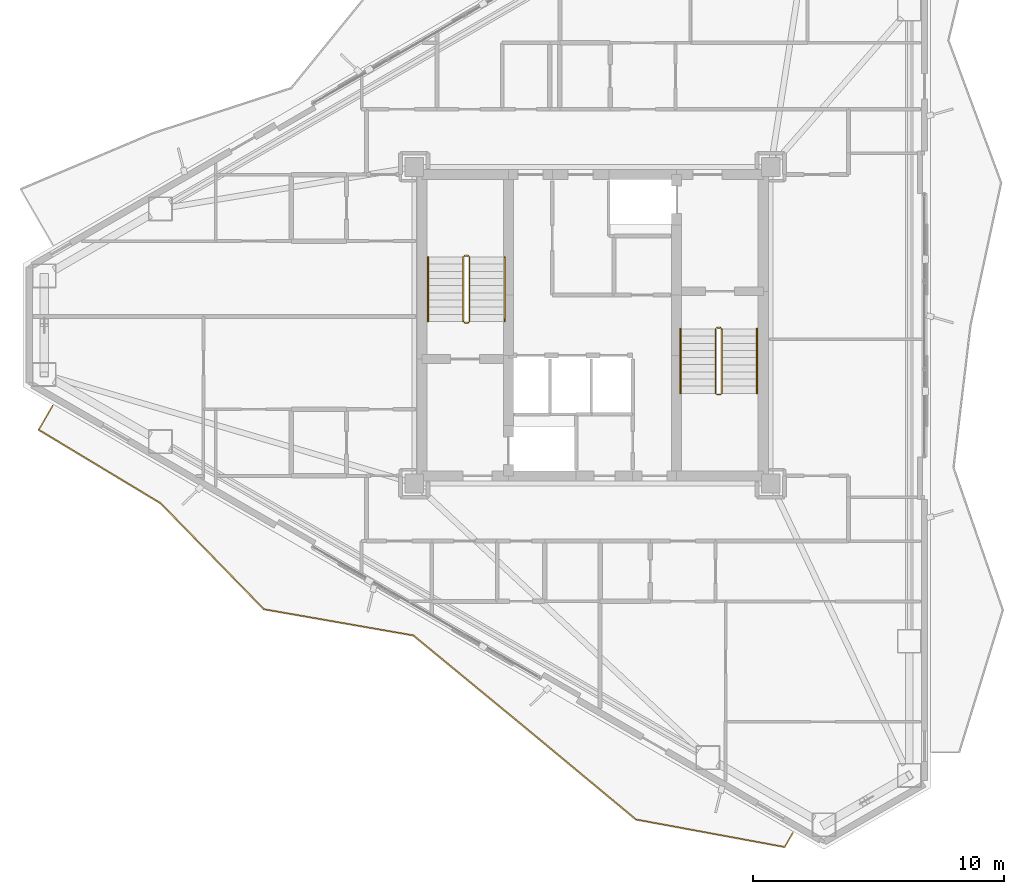
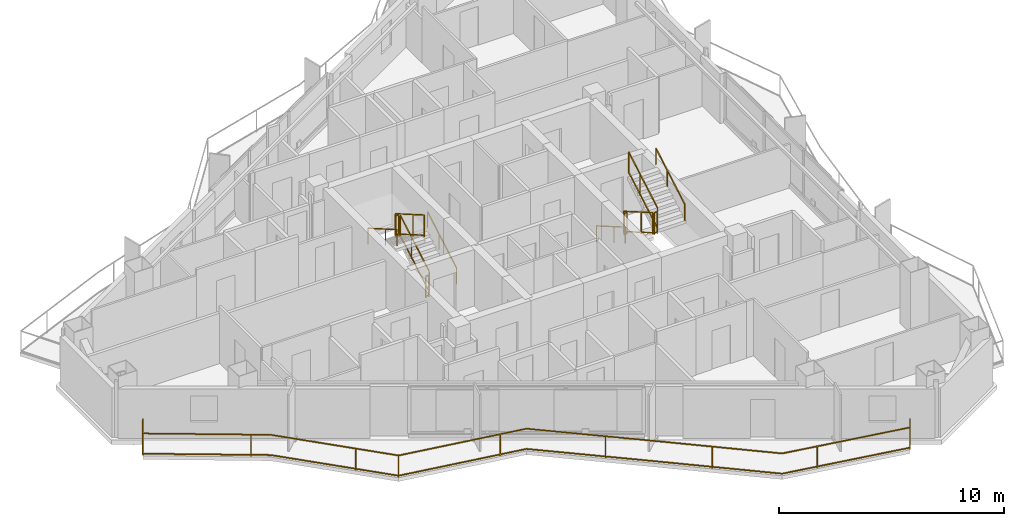
# One storey, part 18 of 19: 13 railings.
"""IFC4 building model written with IfcOpenShell, lengths in metres."""

from ifc_helpers import new_model, si_unit, direction, frame, origin, origin_2d, place, context, subcontext, project, spatial, rectangle, extrude, material, type_object, element, save


model = new_model("IFC4")

# Units and contexts
model_context = context("Model", 3, precision=1e-05, world=origin(), true_north=direction((0.0, 1.0)))
body_context = subcontext(model_context, "Body", "Model", "MODEL_VIEW")
ifc_project = project(units=[si_unit("LENGTHUNIT", "METRE"), si_unit("AREAUNIT", "SQUARE_METRE"), si_unit("VOLUMEUNIT", "CUBIC_METRE"), si_unit("PLANEANGLEUNIT", "RADIAN"), si_unit("MASSUNIT", "GRAM", prefix="KILO")], contexts=[model_context])

# Site, building, storey
site_placement = place(None, origin())
site = spatial("IfcSite", under=ifc_project, at=site_placement, CompositionType="ELEMENT")
building_placement = place(site_placement, origin())
building = spatial("IfcBuilding", under=site, at=building_placement, Name="Mersakhor Tower and Convention Hall", CompositionType="ELEMENT")
storey_placement = place(building_placement, frame((0.0, 0.0, 147.60009765625)))
storey = spatial("IfcBuildingStorey", under=building, at=storey_placement, Name="L41", CompositionType="ELEMENT", Elevation=147.60009765625)

# Railings
ifc_material_1 = material(Name="Powder-coated galvanised steel and laminated glass balustrade", Category="steel")
railing_type_1 = type_object("IfcRailingType", Name="RL-BAL-1200", PredefinedType="BALUSTRADE", material=ifc_material_1)
railing_1_placement = place(storey_placement, frame((7.497802734375, 23.5537109375, 0.0)))
element("IfcRailing", 1, at=railing_1_placement, inside=storey, type_object=railing_type_1, Name="L41 Sinusoidal Balcony Balustrade F3", PredefinedType="BALUSTRADE", context=body_context, shape_type="SweptSolid", body=[
    extrude(rectangle(XDim=0.048095703125, YDim=0.048095703125, at=origin_2d()), frame((0.0, 0.0, 1.17578125), z_axis=(-0.499956354932, -0.86605060081, 0.0), x_axis=(0.86605060081, -0.499956354932, 0.0)), (0.0, 0.0, 1.0), 1.1142578125),
    extrude(rectangle(XDim=0.048095703125, YDim=0.048095703125, at=origin_2d()), frame((0.0, 0.0, 0.080078125), z_axis=(-0.499956354932, -0.86605060081, 0.0), x_axis=(0.86605060081, -0.499956354932, 0.0)), (0.0, 0.0, 1.0), 1.1142578125),
    extrude(rectangle(XDim=0.048095703125, YDim=0.048095703125, at=origin_2d()), frame((-0.55712890625, -0.965087890625, 1.17578125), z_axis=(0.856565393942, -0.516038492654, 0.0), x_axis=(0.516038492654, 0.856565393942, 0.0)), (0.0, 0.0, 1.0), 5.67529296875),
    extrude(rectangle(XDim=0.048095703125, YDim=0.048095703125, at=origin_2d()), frame((-0.55712890625, -0.965087890625, 0.080078125), z_axis=(0.856565393942, -0.516038492654, 0.0), x_axis=(0.516038492654, 0.856565393942, 0.0)), (0.0, 0.0, 1.0), 5.67529296875),
    extrude(rectangle(XDim=0.048095703125, YDim=0.048095703125, at=origin_2d()), frame((4.30419921875, -3.893798828125, 1.17578125), z_axis=(0.697833134892, -0.716260368753, 0.0), x_axis=(0.716260368753, 0.697833134892, 0.0)), (0.0, 0.0, 1.0), 5.895751953125),
    extrude(rectangle(XDim=0.048095703125, YDim=0.048095703125, at=origin_2d()), frame((4.30419921875, -3.893798828125, 0.080078125), z_axis=(0.697833134892, -0.716260368753, 0.0), x_axis=(0.716260368753, 0.697833134892, 0.0)), (0.0, 0.0, 1.0), 5.895751953125),
    extrude(rectangle(XDim=0.048095703125, YDim=0.048095703125, at=origin_2d()), frame((8.41845703125, -8.11669921875, 1.17578125), z_axis=(0.985019829062, -0.172441109814, 0.0), x_axis=(0.172441109814, 0.985019829062, 0.0)), (0.0, 0.0, 1.0), 6.041259765625),
    extrude(rectangle(XDim=0.048095703125, YDim=0.048095703125, at=origin_2d()), frame((8.41845703125, -8.11669921875, 0.080078125), z_axis=(0.985019829062, -0.172441109814, 0.0), x_axis=(0.172441109814, 0.985019829062, 0.0)), (0.0, 0.0, 1.0), 6.041259765625),
    extrude(rectangle(XDim=0.048095703125, YDim=0.048095703125, at=origin_2d()), frame((14.369140625, -9.158447265625, 1.17578125), z_axis=(0.77204782619, -0.635564437391, 0.0), x_axis=(0.635564437391, 0.77204782619, 0.0)), (0.0, 0.0, 1.0), 5.752685546875),
    extrude(rectangle(XDim=0.048095703125, YDim=0.048095703125, at=origin_2d()), frame((14.369140625, -9.158447265625, 0.080078125), z_axis=(0.77204782619, -0.635564437391, 0.0), x_axis=(0.635564437391, 0.77204782619, 0.0)), (0.0, 0.0, 1.0), 5.752685546875),
    extrude(rectangle(XDim=0.048095703125, YDim=0.048095703125, at=origin_2d()), frame((18.810546875, -12.814697265625, 1.17578125), z_axis=(0.769433086059, -0.638727427059, 0.0), x_axis=(0.638727427059, 0.769433086059, 0.0)), (0.0, 0.0, 1.0), 5.7568359375),
    extrude(rectangle(XDim=0.048095703125, YDim=0.048095703125, at=origin_2d()), frame((18.810546875, -12.814697265625, 0.080078125), z_axis=(0.769433086059, -0.638727427059, 0.0), x_axis=(0.638727427059, 0.769433086059, 0.0)), (0.0, 0.0, 1.0), 5.7568359375),
    extrude(rectangle(XDim=0.048095703125, YDim=0.048095703125, at=origin_2d()), frame((23.239990234375, -16.49169921875, 1.17578125), z_axis=(0.983338158123, -0.181785771665, 0.0), x_axis=(0.181785771665, 0.983338158123, 0.0)), (0.0, 0.0, 1.0), 6.020751953125),
    extrude(rectangle(XDim=0.048095703125, YDim=0.048095703125, at=origin_2d()), frame((23.239990234375, -16.49169921875, 0.080078125), z_axis=(0.983338158123, -0.181785771665, 0.0), x_axis=(0.181785771665, 0.983338158123, 0.0)), (0.0, 0.0, 1.0), 6.020751953125),
    extrude(rectangle(XDim=0.048095703125, YDim=0.048095703125, at=origin_2d()), frame((29.160400390625, -17.586181640625, 1.17578125), z_axis=(0.49989585183, 0.866085525409, 0.0), x_axis=(-0.866085525409, 0.49989585183, 0.0)), (0.0, 0.0, 1.0), 0.650146484375),
    extrude(rectangle(XDim=0.048095703125, YDim=0.048095703125, at=origin_2d()), frame((29.160400390625, -17.586181640625, 0.080078125), z_axis=(0.49989585183, 0.866085525409, 0.0), x_axis=(-0.866085525409, 0.49989585183, 0.0)), (0.0, 0.0, 1.0), 0.650146484375),
    extrude(rectangle(XDim=0.0419921875, YDim=0.0419921875, at=origin_2d()), origin(), (0.0, 0.0, 1.0), 1.15185546875),
    extrude(rectangle(XDim=0.0419921875, YDim=0.0419921875, at=origin_2d()), frame((-0.55712890625, -0.965087890625, 0.0)), (0.0, 0.0, 1.0), 1.15185546875),
    extrude(rectangle(XDim=0.0419921875, YDim=0.0419921875, at=origin_2d()), frame((3.554443359375, -3.442138671875, 0.0)), (0.0, 0.0, 1.0), 1.15185546875),
    extrude(rectangle(XDim=0.0419921875, YDim=0.0419921875, at=origin_2d()), frame((7.04296875, -6.704833984375, 0.0)), (0.0, 0.0, 1.0), 1.15185546875),
    extrude(rectangle(XDim=0.0419921875, YDim=0.0419921875, at=origin_2d()), frame((8.41845703125, -8.11669921875, 0.0)), (0.0, 0.0, 1.0), 1.15185546875),
    extrude(rectangle(XDim=0.0419921875, YDim=0.0419921875, at=origin_2d()), frame((13.146484375, -8.9443359375, 0.0)), (0.0, 0.0, 1.0), 1.15185546875),
    extrude(rectangle(XDim=0.0419921875, YDim=0.0419921875, at=origin_2d()), frame((17.11669921875, -11.42041015625, 0.0)), (0.0, 0.0, 1.0), 1.15185546875),
    extrude(rectangle(XDim=0.0419921875, YDim=0.0419921875, at=origin_2d()), frame((20.815673828125, -14.479248046875, 0.0)), (0.0, 0.0, 1.0), 1.15185546875),
    extrude(rectangle(XDim=0.0419921875, YDim=0.0419921875, at=origin_2d()), frame((24.86181640625, -16.79150390625, 0.0)), (0.0, 0.0, 1.0), 1.15185546875),
    extrude(rectangle(XDim=0.0419921875, YDim=0.0419921875, at=origin_2d()), frame((29.160400390625, -17.586181640625, 0.0)), (0.0, 0.0, 1.0), 1.15185546875),
    extrude(rectangle(XDim=0.0419921875, YDim=0.0419921875, at=origin_2d()), frame((29.4853515625, -17.023193359375, 0.0)), (0.0, 0.0, 1.0), 1.15185546875),
])
ifc_material_2 = material(Name="Brushed stainless steel handrail", Category="steel")
railing_type_2 = type_object("IfcRailingType", Name="RL-HR-900", PredefinedType="HANDRAIL", material=ifc_material_2)
railing_2_placement = place(storey_placement, frame((25.5, 26.89990234375, 0.164794921875)))
element("IfcRailing", 2, at=railing_2_placement, inside=storey, type_object=railing_type_2, Name="L41 ST-1 stair handrail 1", PredefinedType="HANDRAIL", context=body_context, shape_type="SweptSolid", body=[
    extrude(rectangle(XDim=0.048095703125, YDim=0.048095703125, at=origin_2d()), frame((0.0, 0.0, 0.8759765625), z_axis=(0.0, 0.865426285481, 0.501036270542), x_axis=(-1.0, 0.0, 0.0)), (0.0, 0.0, 1.0), 2.964111328125),
    extrude(rectangle(XDim=0.0419921875, YDim=0.0419921875, at=origin_2d()), origin(), (0.0, 0.0, 1.0), 0.851806640625),
    extrude(rectangle(XDim=0.0419921875, YDim=0.0419921875, at=origin_2d()), frame((0.0, 1.557861328125, 0.90185546875)), (0.0, 0.0, 1.0), 0.851806640625),
    extrude(rectangle(XDim=0.0419921875, YDim=0.0419921875, at=origin_2d()), frame((0.0, 2.565185546875, 1.485107421875)), (0.0, 0.0, 1.0), 0.851806640625),
])
railing_3_placement = place(storey_placement, frame((22.449951171875, 29.465087890625, 1.81494140625)))
element("IfcRailing", 3, at=railing_3_placement, inside=storey, type_object=railing_type_2, Name="L41 ST-1 stair handrail 2", PredefinedType="HANDRAIL", context=body_context, shape_type="SweptSolid", body=[
    extrude(rectangle(XDim=0.048095703125, YDim=0.048095703125, at=origin_2d()), frame((0.0, 0.0, 0.8759765625), z_axis=(0.0, -0.865461999751, 0.500974577186), x_axis=(1.0, 0.0, 0.0)), (0.0, 0.0, 1.0), 2.9638671875),
    extrude(rectangle(XDim=0.0419921875, YDim=0.0419921875, at=origin_2d()), origin(), (0.0, 0.0, 1.0), 0.851806640625),
    extrude(rectangle(XDim=0.0419921875, YDim=0.0419921875, at=origin_2d()), frame((0.0, -1.557861328125, 0.90185546875)), (0.0, 0.0, 1.0), 0.851806640625),
    extrude(rectangle(XDim=0.0419921875, YDim=0.0419921875, at=origin_2d()), frame((0.0, -2.565185546875, 1.48486328125)), (0.0, 0.0, 1.0), 0.851806640625),
])
railing_4_placement = place(storey_placement, frame((32.5, 26.60009765625, 0.164794921875)))
element("IfcRailing", 4, at=railing_4_placement, inside=storey, type_object=railing_type_2, Name="L41 ST-2 stair handrail 1", PredefinedType="HANDRAIL", context=body_context, shape_type="SweptSolid", body=[
    extrude(rectangle(XDim=0.048095703125, YDim=0.048095703125, at=origin_2d()), frame((0.0, 0.0, 0.8759765625), z_axis=(0.0, -0.865426285481, 0.501036270542), x_axis=(1.0, 0.0, 0.0)), (0.0, 0.0, 1.0), 2.964111328125),
    extrude(rectangle(XDim=0.0419921875, YDim=0.0419921875, at=origin_2d()), origin(), (0.0, 0.0, 1.0), 0.851806640625),
    extrude(rectangle(XDim=0.0419921875, YDim=0.0419921875, at=origin_2d()), frame((0.0, -1.557861328125, 0.90185546875)), (0.0, 0.0, 1.0), 0.851806640625),
    extrude(rectangle(XDim=0.0419921875, YDim=0.0419921875, at=origin_2d()), frame((0.0, -2.565185546875, 1.485107421875)), (0.0, 0.0, 1.0), 0.851806640625),
])
railing_5_placement = place(storey_placement, frame((35.550048828125, 24.034912109375, 1.81494140625)))
element("IfcRailing", 5, at=railing_5_placement, inside=storey, type_object=railing_type_2, Name="L41 ST-2 stair handrail 2", PredefinedType="HANDRAIL", context=body_context, shape_type="SweptSolid", body=[
    extrude(rectangle(XDim=0.048095703125, YDim=0.048095703125, at=origin_2d()), frame((0.0, 0.0, 0.8759765625), z_axis=(0.0, 0.865461999751, 0.500974577186), x_axis=(-1.0, 0.0, 0.0)), (0.0, 0.0, 1.0), 2.9638671875),
    extrude(rectangle(XDim=0.0419921875, YDim=0.0419921875, at=origin_2d()), origin(), (0.0, 0.0, 1.0), 0.851806640625),
    extrude(rectangle(XDim=0.0419921875, YDim=0.0419921875, at=origin_2d()), frame((0.0, 1.557861328125, 0.90185546875)), (0.0, 0.0, 1.0), 0.851806640625),
    extrude(rectangle(XDim=0.0419921875, YDim=0.0419921875, at=origin_2d()), frame((0.0, 2.565185546875, 1.48486328125)), (0.0, 0.0, 1.0), 0.851806640625),
])
ifc_material_3 = material(Name="Painted steel stair balustrade S355", Category="steel")
railing_type_3 = type_object("IfcRailingType", Name="RL-STG-1200", PredefinedType="BALUSTRADE", material=ifc_material_3)
railing_6_placement = place(storey_placement, frame((24.10009765625, 26.89990234375, 0.164794921875)))
element("IfcRailing", 6, at=railing_6_placement, inside=storey, type_object=railing_type_3, Name="L41 ST-1 stair guard 1", PredefinedType="BALUSTRADE", context=body_context, shape_type="SweptSolid", body=[
    extrude(rectangle(XDim=0.048095703125, YDim=0.048095703125, at=origin_2d()), frame((0.0, 0.0, 1.17578125), z_axis=(0.0, 0.865426285481, 0.501036270542), x_axis=(-1.0, 0.0, 0.0)), (0.0, 0.0, 1.0), 2.964111328125),
    extrude(rectangle(XDim=0.048095703125, YDim=0.048095703125, at=origin_2d()), frame((0.0, 0.0, 0.080078125), z_axis=(0.0, 0.865426285481, 0.501036270542), x_axis=(-1.0, 0.0, 0.0)), (0.0, 0.0, 1.0), 2.964111328125),
    extrude(rectangle(XDim=0.0419921875, YDim=0.0419921875, at=origin_2d()), origin(), (0.0, 0.0, 1.0), 1.15185546875),
    extrude(rectangle(XDim=0.0419921875, YDim=0.0419921875, at=origin_2d()), frame((0.0, 1.557861328125, 0.90185546875)), (0.0, 0.0, 1.0), 1.15185546875),
    extrude(rectangle(XDim=0.0419921875, YDim=0.0419921875, at=origin_2d()), frame((0.0, 2.565185546875, 1.485107421875)), (0.0, 0.0, 1.0), 1.15185546875),
])
railing_7_placement = place(storey_placement, frame((24.050048828125, 29.514892578125, 1.64990234375)))
element("IfcRailing", 7, at=railing_7_placement, inside=storey, type_object=railing_type_3, Name="L41 ST-1 stair guard 2", PredefinedType="BALUSTRADE", context=body_context, shape_type="SweptSolid", body=[
    extrude(rectangle(XDim=0.048095703125, YDim=0.048095703125, at=origin_2d()), frame((0.0, 0.0, 1.17578125), z_axis=(-1.0, 0.0, 0.0), x_axis=(0.0, -1.0, 0.0)), (0.0, 0.0, 1.0), 0.150146484375),
    extrude(rectangle(XDim=0.048095703125, YDim=0.048095703125, at=origin_2d()), frame((0.0, 0.0, 0.080078125), z_axis=(-1.0, 0.0, 0.0), x_axis=(0.0, -1.0, 0.0)), (0.0, 0.0, 1.0), 0.150146484375),
    extrude(rectangle(XDim=0.0419921875, YDim=0.0419921875, at=origin_2d()), origin(), (0.0, 0.0, 1.0), 1.15185546875),
    extrude(rectangle(XDim=0.0419921875, YDim=0.0419921875, at=origin_2d()), frame((-0.150146484375, 0.0, 0.0)), (0.0, 0.0, 1.0), 1.15185546875),
])
railing_8_placement = place(storey_placement, frame((23.85009765625, 29.465087890625, 1.81494140625)))
element("IfcRailing", 8, at=railing_8_placement, inside=storey, type_object=railing_type_3, Name="L41 ST-1 stair guard 3", PredefinedType="BALUSTRADE", context=body_context, shape_type="SweptSolid", body=[
    extrude(rectangle(XDim=0.048095703125, YDim=0.048095703125, at=origin_2d()), frame((0.0, 0.0, 1.17578125), z_axis=(0.0, -0.865461999751, 0.500974577186), x_axis=(1.0, 0.0, 0.0)), (0.0, 0.0, 1.0), 2.9638671875),
    extrude(rectangle(XDim=0.048095703125, YDim=0.048095703125, at=origin_2d()), frame((0.0, 0.0, 0.080078125), z_axis=(0.0, -0.865461999751, 0.500974577186), x_axis=(1.0, 0.0, 0.0)), (0.0, 0.0, 1.0), 2.9638671875),
    extrude(rectangle(XDim=0.0419921875, YDim=0.0419921875, at=origin_2d()), origin(), (0.0, 0.0, 1.0), 1.15185546875),
    extrude(rectangle(XDim=0.0419921875, YDim=0.0419921875, at=origin_2d()), frame((0.0, -1.557861328125, 0.90185546875)), (0.0, 0.0, 1.0), 1.15185546875),
    extrude(rectangle(XDim=0.0419921875, YDim=0.0419921875, at=origin_2d()), frame((0.0, -2.565185546875, 1.48486328125)), (0.0, 0.0, 1.0), 1.15185546875),
])
railing_9_placement = place(storey_placement, frame((24.050048828125, 26.85009765625, 0.0)))
element("IfcRailing", 9, at=railing_9_placement, inside=storey, type_object=railing_type_3, Name="L41 ST-1 stair guard 4", PredefinedType="BALUSTRADE", context=body_context, shape_type="SweptSolid", body=[
    extrude(rectangle(XDim=0.048095703125, YDim=0.048095703125, at=origin_2d()), frame((0.0, 0.0, 1.17578125), z_axis=(-1.0, 0.0, 0.0), x_axis=(0.0, -1.0, 0.0)), (0.0, 0.0, 1.0), 0.150146484375),
    extrude(rectangle(XDim=0.048095703125, YDim=0.048095703125, at=origin_2d()), frame((0.0, 0.0, 0.080078125), z_axis=(-1.0, 0.0, 0.0), x_axis=(0.0, -1.0, 0.0)), (0.0, 0.0, 1.0), 0.150146484375),
    extrude(rectangle(XDim=0.0419921875, YDim=0.0419921875, at=origin_2d()), origin(), (0.0, 0.0, 1.0), 1.15185546875),
    extrude(rectangle(XDim=0.0419921875, YDim=0.0419921875, at=origin_2d()), frame((-0.150146484375, 0.0, 0.0)), (0.0, 0.0, 1.0), 1.15185546875),
])
railing_10_placement = place(storey_placement, frame((33.89990234375, 26.60009765625, 0.164794921875)))
element("IfcRailing", 10, at=railing_10_placement, inside=storey, type_object=railing_type_3, Name="L41 ST-2 stair guard 1", PredefinedType="BALUSTRADE", context=body_context, shape_type="SweptSolid", body=[
    extrude(rectangle(XDim=0.048095703125, YDim=0.048095703125, at=origin_2d()), frame((0.0, 0.0, 1.17578125), z_axis=(0.0, -0.865426285481, 0.501036270542), x_axis=(1.0, 0.0, 0.0)), (0.0, 0.0, 1.0), 2.964111328125),
    extrude(rectangle(XDim=0.048095703125, YDim=0.048095703125, at=origin_2d()), frame((0.0, 0.0, 0.080078125), z_axis=(0.0, -0.865426285481, 0.501036270542), x_axis=(1.0, 0.0, 0.0)), (0.0, 0.0, 1.0), 2.964111328125),
    extrude(rectangle(XDim=0.0419921875, YDim=0.0419921875, at=origin_2d()), origin(), (0.0, 0.0, 1.0), 1.15185546875),
    extrude(rectangle(XDim=0.0419921875, YDim=0.0419921875, at=origin_2d()), frame((0.0, -1.557861328125, 0.90185546875)), (0.0, 0.0, 1.0), 1.15185546875),
    extrude(rectangle(XDim=0.0419921875, YDim=0.0419921875, at=origin_2d()), frame((0.0, -2.565185546875, 1.485107421875)), (0.0, 0.0, 1.0), 1.15185546875),
])
railing_11_placement = place(storey_placement, frame((33.949951171875, 23.985107421875, 1.64990234375)))
element("IfcRailing", 11, at=railing_11_placement, inside=storey, type_object=railing_type_3, Name="L41 ST-2 stair guard 2", PredefinedType="BALUSTRADE", context=body_context, shape_type="SweptSolid", body=[
    extrude(rectangle(XDim=0.048095703125, YDim=0.048095703125, at=origin_2d()), frame((0.0, 0.0, 1.17578125), z_axis=(1.0, 0.0, 0.0), x_axis=(0.0, 1.0, 0.0)), (0.0, 0.0, 1.0), 0.150146484375),
    extrude(rectangle(XDim=0.048095703125, YDim=0.048095703125, at=origin_2d()), frame((0.0, 0.0, 0.080078125), z_axis=(1.0, 0.0, 0.0), x_axis=(0.0, 1.0, 0.0)), (0.0, 0.0, 1.0), 0.150146484375),
    extrude(rectangle(XDim=0.0419921875, YDim=0.0419921875, at=origin_2d()), origin(), (0.0, 0.0, 1.0), 1.15185546875),
    extrude(rectangle(XDim=0.0419921875, YDim=0.0419921875, at=origin_2d()), frame((0.150146484375, 0.0, 0.0)), (0.0, 0.0, 1.0), 1.15185546875),
])
railing_12_placement = place(storey_placement, frame((34.14990234375, 24.034912109375, 1.81494140625)))
element("IfcRailing", 12, at=railing_12_placement, inside=storey, type_object=railing_type_3, Name="L41 ST-2 stair guard 3", PredefinedType="BALUSTRADE", context=body_context, shape_type="SweptSolid", body=[
    extrude(rectangle(XDim=0.048095703125, YDim=0.048095703125, at=origin_2d()), frame((0.0, 0.0, 1.17578125), z_axis=(0.0, 0.865461999751, 0.500974577186), x_axis=(-1.0, 0.0, 0.0)), (0.0, 0.0, 1.0), 2.9638671875),
    extrude(rectangle(XDim=0.048095703125, YDim=0.048095703125, at=origin_2d()), frame((0.0, 0.0, 0.080078125), z_axis=(0.0, 0.865461999751, 0.500974577186), x_axis=(-1.0, 0.0, 0.0)), (0.0, 0.0, 1.0), 2.9638671875),
    extrude(rectangle(XDim=0.0419921875, YDim=0.0419921875, at=origin_2d()), origin(), (0.0, 0.0, 1.0), 1.15185546875),
    extrude(rectangle(XDim=0.0419921875, YDim=0.0419921875, at=origin_2d()), frame((0.0, 1.557861328125, 0.90185546875)), (0.0, 0.0, 1.0), 1.15185546875),
    extrude(rectangle(XDim=0.0419921875, YDim=0.0419921875, at=origin_2d()), frame((0.0, 2.565185546875, 1.48486328125)), (0.0, 0.0, 1.0), 1.15185546875),
])
railing_13_placement = place(storey_placement, frame((33.949951171875, 26.64990234375, 0.0)))
element("IfcRailing", 13, at=railing_13_placement, inside=storey, type_object=railing_type_3, Name="L41 ST-2 stair guard 4", PredefinedType="BALUSTRADE", context=body_context, shape_type="SweptSolid", body=[
    extrude(rectangle(XDim=0.048095703125, YDim=0.048095703125, at=origin_2d()), frame((0.0, 0.0, 1.17578125), z_axis=(1.0, 0.0, 0.0), x_axis=(0.0, 1.0, 0.0)), (0.0, 0.0, 1.0), 0.150146484375),
    extrude(rectangle(XDim=0.048095703125, YDim=0.048095703125, at=origin_2d()), frame((0.0, 0.0, 0.080078125), z_axis=(1.0, 0.0, 0.0), x_axis=(0.0, 1.0, 0.0)), (0.0, 0.0, 1.0), 0.150146484375),
    extrude(rectangle(XDim=0.0419921875, YDim=0.0419921875, at=origin_2d()), origin(), (0.0, 0.0, 1.0), 1.15185546875),
    extrude(rectangle(XDim=0.0419921875, YDim=0.0419921875, at=origin_2d()), frame((0.150146484375, 0.0, 0.0)), (0.0, 0.0, 1.0), 1.15185546875),
])

save(model, "model.ifc")
